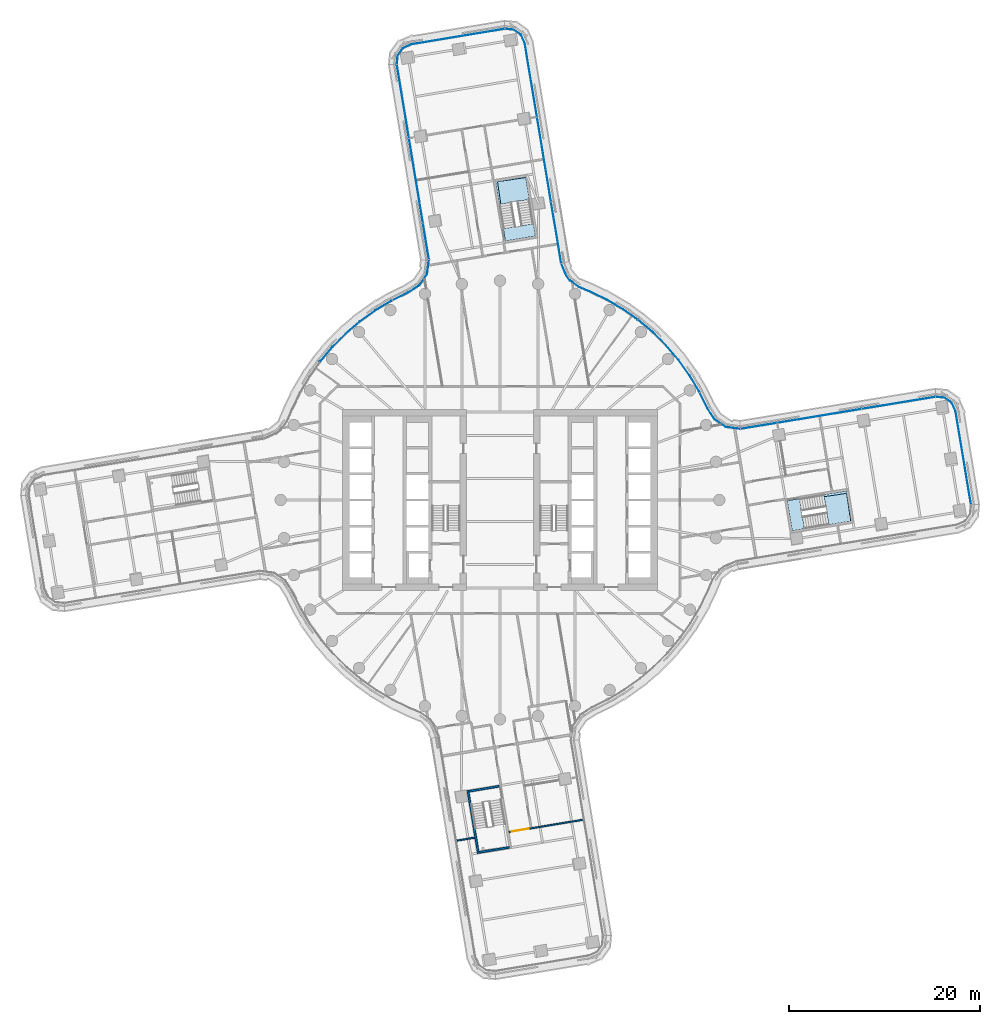
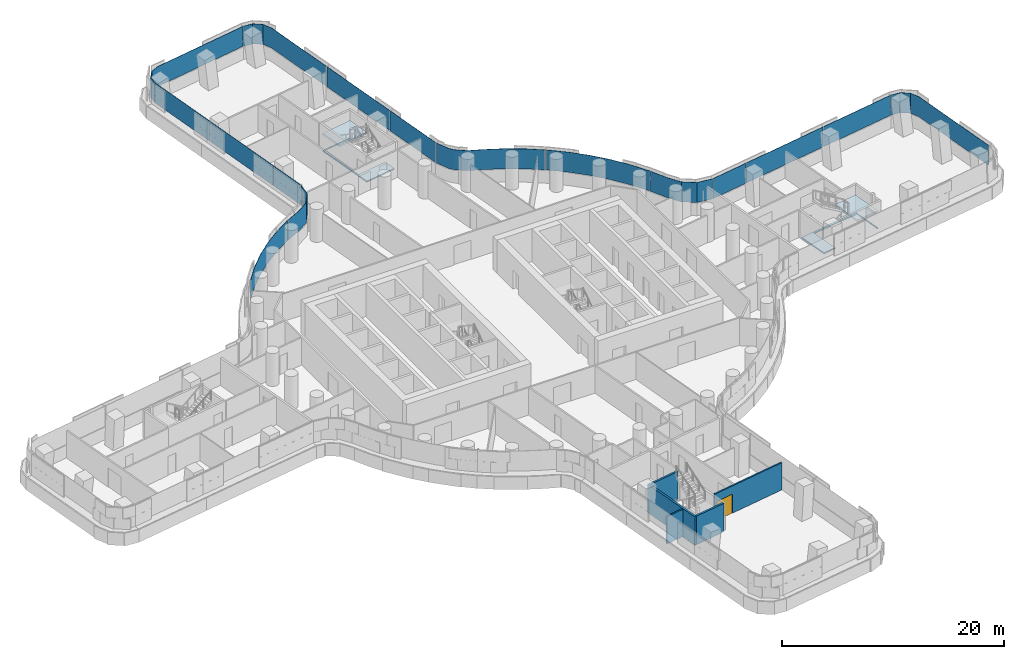
# One storey, part 19 of 32: 16 plates, 5 walls, 4 slabs, 1 door, 1 opening, 9 elements without a shape of their own.
"""IFC4 building model written with IfcOpenShell, lengths in metres."""

from ifc_helpers import new_model, si_unit, direction, frame, frame_2d, origin, place, context, subcontext, project, spatial, polyline, rectangle, outline, extrude, material, layer, layer_set, type_object, element, fill, aggregate, save


model = new_model("IFC4")

# Units and contexts
model_context = context("Model", 3, precision=1e-05, world=origin(), true_north=direction((0.0, 1.0)))
body_context = subcontext(model_context, "Body", "Model", "MODEL_VIEW")
ifc_project = project(units=[si_unit("LENGTHUNIT", "METRE"), si_unit("AREAUNIT", "SQUARE_METRE"), si_unit("VOLUMEUNIT", "CUBIC_METRE"), si_unit("PLANEANGLEUNIT", "RADIAN"), si_unit("MASSUNIT", "GRAM", prefix="KILO")], contexts=[model_context])

# Site, building, storey
site_placement = place(None, origin())
site = spatial("IfcSite", under=ifc_project, at=site_placement, CompositionType="ELEMENT")
building_placement = place(site_placement, origin())
building = spatial("IfcBuilding", under=site, at=building_placement, Name="Tamarind Cross Interchange Tower", CompositionType="ELEMENT")
storey_placement = place(building_placement, frame((0.0, 0.0, 67.75)))
storey = spatial("IfcBuildingStorey", under=building, at=storey_placement, Name="L15", CompositionType="ELEMENT", Elevation=67.75)

# Slabs
ifc_material_1 = material(Name="Concrete C35", Category="concrete")
ifc_layer_1 = layer(ifc_material_1, 0.139892578125)
ifc_layer_set_1 = layer_set([ifc_layer_1], Name="Concrete C35")
slab_type_1 = type_object("IfcSlabType", Name="Composite slab 140 Concrete C35", PredefinedType="FLOOR", material=ifc_layer_set_1)
slab_1_placement = place(storey_placement, frame((0.0, 0.0, -0.139892578125)))
element("IfcSlab", 1, at=slab_1_placement, inside=storey, type_object=slab_type_1, Name="Floor slab L15", PredefinedType="FLOOR", context=body_context, shape_type="SweptSolid", body=[
    extrude(outline(polyline([(-0.257568359375, 33.383544921875), (2.705322265625, 33.81884765625), (2.69189453125, 33.899658203125), (-0.465087890625, 33.376953125), (0.564208984375, 27.16162109375), (3.72119140625, 27.684326171875), (3.5068359375, 28.978759765625), (0.463623046875, 28.474853515625), (-0.257568359375, 33.383544921875)])), origin(), (0.0, 0.0, 1.0), 0.139892578125),
])
slab_2_placement = place(storey_placement, frame((0.0, 0.0, -0.139892578125)))
element("IfcSlab", 2, at=slab_2_placement, inside=storey, type_object=slab_type_1, Name="Floor slab L15", PredefinedType="FLOOR", context=body_context, shape_type="SweptSolid", body=[
    extrude(outline(polyline([(36.3515625, 0.693603515625), (36.779052734375, -2.215087890625), (36.859375, -2.201904296875), (36.336669921875, 0.955078125), (30.12109375, -0.07421875), (30.64404296875, -3.231201171875), (31.9384765625, -3.016845703125), (31.443359375, -0.027587890625), (36.3515625, 0.693603515625)])), origin(), (0.0, 0.0, 1.0), 0.139892578125),
])

# Stair, slab
ifc_material_2 = material(Name="Exit stair")
stair_type = type_object("IfcStairType", Name="Exit stair", PredefinedType="HALF_TURN_STAIR", material=ifc_material_2)
stair_1_placement = place(storey_placement, origin())
stair_1 = element("IfcStair", 3, at=stair_1_placement, inside=storey, type_object=stair_type, Name="L15 exit stair ST3", PredefinedType="HALF_TURN_STAIR")
ifc_material_3 = material(Name="Concrete C40", Category="concrete")
ifc_layer_2 = layer(ifc_material_3, 0.199951171875)
ifc_layer_set_2 = layer_set([ifc_layer_2], Name="Concrete C40")
slab_type_2 = type_object("IfcSlabType", Name="Stair landing", PredefinedType="LANDING", material=ifc_layer_set_2)
slab_3_placement = place(storey_placement, frame((0.0, 0.0, 1.675048828125)))
slab_3 = element("IfcSlab", 4, at=slab_3_placement, type_object=slab_type_2, Name="ST3 landing 1", PredefinedType="LANDING", context=body_context, shape_type="SweptSolid", body=[
    extrude(outline(polyline([(34.479736328125, -2.595947265625), (36.859375, -2.201904296875), (36.336669921875, 0.955078125), (33.95703125, 0.56103515625), (34.479736328125, -2.595947265625)])), origin(), (0.0, 0.0, 1.0), 0.199951171875),
])
aggregate(stair_1, [slab_3])

stair_2_placement = place(storey_placement, origin())
stair_2 = element("IfcStair", 5, at=stair_2_placement, inside=storey, type_object=stair_type, Name="L15 exit stair ST4", PredefinedType="HALF_TURN_STAIR")
slab_4_placement = place(storey_placement, frame((0.0, 0.0, 1.675048828125)))
slab_4 = element("IfcSlab", 6, at=slab_4_placement, type_object=slab_type_2, Name="ST4 landing 1", PredefinedType="LANDING", context=body_context, shape_type="SweptSolid", body=[
    extrude(outline(polyline([(3.0859375, 31.52001953125), (2.69189453125, 33.899658203125), (-0.465087890625, 33.376953125), (-0.071044921875, 30.997314453125), (3.0859375, 31.52001953125)])), origin(), (0.0, 0.0, 1.0), 0.199951171875),
])
aggregate(stair_2, [slab_4])

# Curtain wall, plate
ifc_material_4 = material(Name="Aluminium 6063-T6", Category="aluminium")
ifc_layer_3 = layer(ifc_material_4, 0.159912109375)
ifc_layer_set_3 = layer_set([ifc_layer_3], Name="Aluminium 6063-T6")
curtain_wall_type = type_object("IfcCurtainWallType", Name="Office curtain wall, 9.0 m bays", PredefinedType="NOTDEFINED", material=ifc_layer_set_3)
curtain_wall_1_placement = place(storey_placement, origin())
curtain_wall_1 = element("IfcCurtainWall", 7, at=curtain_wall_1_placement, inside=storey, type_object=curtain_wall_type, Name="CWS-L15-00", PredefinedType="NOTDEFINED")
ifc_material_5 = material(Name="Laminated low-e glass 8+1.52+8", Category="glass")
ifc_layer_4 = layer(ifc_material_5, 0.028076171875)
ifc_layer_set_4 = layer_set([ifc_layer_4], Name="Laminated low-e glass 8+1.52+8")
plate_type = type_object("IfcPlateType", Name="Vision panel CW1", PredefinedType="CURTAIN_PANEL", material=ifc_layer_set_4)
plate_1_placement = place(storey_placement, frame((0.0, 0.0, 1.39990234375)))
plate_1 = element("IfcPlate", 8, at=plate_1_placement, type_object=plate_type, Name="CWP-L15-00-00", PredefinedType="CURTAIN_PANEL", context=body_context, shape_type="SweptSolid", body=[
    extrude(outline(polyline([(0.474609375, 49.391845703125), (-9.3076171875, 47.77197265625), (-10.17236328125, 47.379638671875), (-10.708251953125, 46.630859375), (-10.798095703125, 45.713623046875), (-10.826171875, 45.71630859375), (-10.7353515625, 46.64111328125), (-10.19091796875, 47.40185546875), (-9.315673828125, 47.799072265625), (0.47021484375, 49.419677734375), (0.474609375, 49.391845703125)])), origin(), (0.0, 0.0, 1.0), 2.210205078125),
])
aggregate(curtain_wall_1, [plate_1])

# Curtain wall, plates
curtain_wall_2_placement = place(storey_placement, origin())
curtain_wall_2 = element("IfcCurtainWall", 9, at=curtain_wall_2_placement, inside=storey, type_object=curtain_wall_type, Name="CWS-L15-01", PredefinedType="NOTDEFINED")
plate_2_placement = place(storey_placement, frame((0.0, 0.0, 1.39990234375)))
plate_2 = element("IfcPlate", 10, at=plate_2_placement, type_object=plate_type, Name="CWP-L15-01-00", PredefinedType="CURTAIN_PANEL", context=body_context, shape_type="SweptSolid", body=[
    extrude(outline(polyline([(-10.79638671875, 45.65771484375), (-9.53125, 37.95947265625), (-9.558837890625, 37.954833984375), (-10.823974609375, 45.6533203125), (-10.79638671875, 45.65771484375)])), origin(), (0.0, 0.0, 1.0), 2.210205078125),
])
plate_3_placement = place(storey_placement, frame((0.0, 0.0, 1.39990234375)))
plate_3 = element("IfcPlate", 11, at=plate_3_placement, type_object=plate_type, Name="CWP-L15-01-01", PredefinedType="CURTAIN_PANEL", context=body_context, shape_type="SweptSolid", body=[
    extrude(outline(polyline([(-9.521484375, 37.900146484375), (-8.071533203125, 29.0771484375), (-8.09912109375, 29.072509765625), (-9.549072265625, 37.895751953125), (-9.521484375, 37.900146484375)])), origin(), (0.0, 0.0, 1.0), 2.210205078125),
])
plate_4_placement = place(storey_placement, frame((0.0, 0.0, 1.39990234375)))
plate_4 = element("IfcPlate", 12, at=plate_4_placement, type_object=plate_type, Name="CWP-L15-01-02", PredefinedType="CURTAIN_PANEL", context=body_context, shape_type="SweptSolid", body=[
    extrude(outline(polyline([(-8.061767578125, 29.017822265625), (-7.440185546875, 25.234619140625), (-7.4677734375, 25.230224609375), (-8.08935546875, 29.01318359375), (-8.061767578125, 29.017822265625)])), origin(), (0.0, 0.0, 1.0), 2.210205078125),
])
aggregate(curtain_wall_2, [plate_2, plate_3, plate_4])

curtain_wall_3_placement = place(storey_placement, origin())
curtain_wall_3 = element("IfcCurtainWall", 13, at=curtain_wall_3_placement, inside=storey, type_object=curtain_wall_type, Name="CWS-L15-02", PredefinedType="NOTDEFINED")
plate_5_placement = place(storey_placement, frame((0.0, 0.0, 1.39990234375)))
plate_5 = element("IfcPlate", 14, at=plate_5_placement, type_object=plate_type, Name="CWP-L15-02-00", PredefinedType="CURTAIN_PANEL", context=body_context, shape_type="SweptSolid", body=[
    extrude(outline(polyline([(-7.439208984375, 25.171142578125), (-7.636474609375, 23.6884765625), (-8.433349609375, 22.5048828125), (-9.62841796875, 21.746337890625), (-11.251953125, 20.944091796875), (-11.264404296875, 20.96923828125), (-9.642333984375, 21.770751953125), (-8.453125, 22.525390625), (-7.663330078125, 23.69873046875), (-7.466796875, 25.175048828125), (-7.439208984375, 25.171142578125)])), origin(), (0.0, 0.0, 1.0), 2.210205078125),
])
plate_6_placement = place(storey_placement, frame((0.0, 0.0, 1.39990234375)))
plate_6 = element("IfcPlate", 15, at=plate_6_placement, type_object=plate_type, Name="CWP-L15-02-01", PredefinedType="CURTAIN_PANEL", context=body_context, shape_type="SweptSolid", body=[
    extrude(outline(polyline([(-11.3056640625, 20.91748046875), (-11.40869140625, 20.866455078125), (-13.093017578125, 19.85302734375), (-14.687744140625, 18.7041015625), (-16.18212890625, 17.42724609375), (-17.56591796875, 16.031494140625), (-18.829833984375, 14.526123046875), (-18.876708984375, 14.4599609375), (-18.899658203125, 14.47607421875), (-18.85205078125, 14.543212890625), (-17.586669921875, 16.05029296875), (-16.201171875, 17.44775390625), (-14.705078125, 18.72607421875), (-13.1083984375, 19.87646484375), (-11.422119140625, 20.89111328125), (-11.318115234375, 20.942626953125), (-11.3056640625, 20.91748046875)])), origin(), (0.0, 0.0, 1.0), 2.210205078125),
])
aggregate(curtain_wall_3, [plate_5, plate_6])

# Curtain wall, plate
curtain_wall_4_placement = place(storey_placement, origin())
curtain_wall_4 = element("IfcCurtainWall", 16, at=curtain_wall_4_placement, inside=storey, type_object=curtain_wall_type, Name="CWS-L15-12", PredefinedType="NOTDEFINED")
plate_7_placement = place(storey_placement, frame((0.0, 0.0, 1.39990234375)))
plate_7 = element("IfcPlate", 17, at=plate_7_placement, type_object=plate_type, Name="CWP-L15-12-00", PredefinedType="CURTAIN_PANEL", context=body_context, shape_type="SweptSolid", body=[
    extrude(outline(polyline([(49.391845703125, -0.474609375), (47.77197265625, 9.3076171875), (47.379638671875, 10.17236328125), (46.630859375, 10.708251953125), (45.713623046875, 10.798095703125), (45.71630859375, 10.826171875), (46.64111328125, 10.7353515625), (47.40185546875, 10.19091796875), (47.799072265625, 9.315673828125), (49.419677734375, -0.47021484375), (49.391845703125, -0.474609375)])), origin(), (0.0, 0.0, 1.0), 2.210205078125),
])
aggregate(curtain_wall_4, [plate_7])

# Curtain wall, plates
curtain_wall_5_placement = place(storey_placement, origin())
curtain_wall_5 = element("IfcCurtainWall", 18, at=curtain_wall_5_placement, inside=storey, type_object=curtain_wall_type, Name="CWS-L15-13", PredefinedType="NOTDEFINED")
plate_8_placement = place(storey_placement, frame((0.0, 0.0, 1.39990234375)))
plate_8 = element("IfcPlate", 19, at=plate_8_placement, type_object=plate_type, Name="CWP-L15-13-00", PredefinedType="CURTAIN_PANEL", context=body_context, shape_type="SweptSolid", body=[
    extrude(outline(polyline([(45.65771484375, 10.79638671875), (37.95947265625, 9.53125), (37.954833984375, 9.558837890625), (45.6533203125, 10.823974609375), (45.65771484375, 10.79638671875)])), origin(), (0.0, 0.0, 1.0), 2.210205078125),
])
plate_9_placement = place(storey_placement, frame((0.0, 0.0, 1.39990234375)))
plate_9 = element("IfcPlate", 20, at=plate_9_placement, type_object=plate_type, Name="CWP-L15-13-01", PredefinedType="CURTAIN_PANEL", context=body_context, shape_type="SweptSolid", body=[
    extrude(outline(polyline([(37.900146484375, 9.521484375), (29.0771484375, 8.071533203125), (29.072509765625, 8.09912109375), (37.895751953125, 9.549072265625), (37.900146484375, 9.521484375)])), origin(), (0.0, 0.0, 1.0), 2.210205078125),
])
plate_10_placement = place(storey_placement, frame((0.0, 0.0, 1.39990234375)))
plate_10 = element("IfcPlate", 21, at=plate_10_placement, type_object=plate_type, Name="CWP-L15-13-02", PredefinedType="CURTAIN_PANEL", context=body_context, shape_type="SweptSolid", body=[
    extrude(outline(polyline([(29.017822265625, 8.061767578125), (25.234619140625, 7.440185546875), (25.230224609375, 7.4677734375), (29.01318359375, 8.08935546875), (29.017822265625, 8.061767578125)])), origin(), (0.0, 0.0, 1.0), 2.210205078125),
])
aggregate(curtain_wall_5, [plate_8, plate_9, plate_10])

curtain_wall_6_placement = place(storey_placement, origin())
curtain_wall_6 = element("IfcCurtainWall", 22, at=curtain_wall_6_placement, inside=storey, type_object=curtain_wall_type, Name="CWS-L15-14", PredefinedType="NOTDEFINED")
plate_11_placement = place(storey_placement, frame((0.0, 0.0, 1.39990234375)))
plate_11 = element("IfcPlate", 23, at=plate_11_placement, type_object=plate_type, Name="CWP-L15-14-00", PredefinedType="CURTAIN_PANEL", context=body_context, shape_type="SweptSolid", body=[
    extrude(outline(polyline([(25.171142578125, 7.439208984375), (23.6884765625, 7.636474609375), (22.5048828125, 8.433349609375), (21.746337890625, 9.62841796875), (20.944091796875, 11.251953125), (20.96923828125, 11.264404296875), (21.770751953125, 9.642333984375), (22.525390625, 8.453125), (23.69873046875, 7.663330078125), (25.175048828125, 7.466796875), (25.171142578125, 7.439208984375)])), origin(), (0.0, 0.0, 1.0), 2.210205078125),
])
plate_12_placement = place(storey_placement, frame((0.0, 0.0, 1.39990234375)))
plate_12 = element("IfcPlate", 24, at=plate_12_placement, type_object=plate_type, Name="CWP-L15-14-01", PredefinedType="CURTAIN_PANEL", context=body_context, shape_type="SweptSolid", body=[
    extrude(outline(polyline([(20.91748046875, 11.3056640625), (20.866455078125, 11.40869140625), (19.85302734375, 13.093017578125), (18.7041015625, 14.687744140625), (17.42724609375, 16.18212890625), (16.031494140625, 17.56591796875), (14.526123046875, 18.829833984375), (14.4599609375, 18.876708984375), (14.47607421875, 18.899658203125), (14.543212890625, 18.85205078125), (16.05029296875, 17.586669921875), (17.44775390625, 16.201171875), (18.72607421875, 14.705078125), (19.87646484375, 13.1083984375), (20.89111328125, 11.422119140625), (20.942626953125, 11.318115234375), (20.91748046875, 11.3056640625)])), origin(), (0.0, 0.0, 1.0), 2.210205078125),
])
plate_13_placement = place(storey_placement, frame((0.0, 0.0, 1.39990234375)))
plate_13 = element("IfcPlate", 25, at=plate_13_placement, type_object=plate_type, Name="CWP-L15-14-02", PredefinedType="CURTAIN_PANEL", context=body_context, shape_type="SweptSolid", body=[
    extrude(outline(polyline([(14.410888671875, 18.911376953125), (12.921630859375, 19.965087890625), (11.228759765625, 20.9638671875), (9.456298828125, 21.821044921875), (8.302978515625, 22.30712890625), (7.33544921875, 23.013671875), (6.98193359375, 23.449462890625), (6.428466796875, 24.76171875), (6.454345703125, 24.772705078125), (7.00634765625, 23.4638671875), (7.35498046875, 23.0341796875), (8.316650390625, 22.331787109375), (9.4677734375, 21.8466796875), (11.241943359375, 20.98876953125), (12.936767578125, 19.988525390625), (14.427001953125, 18.934326171875), (14.410888671875, 18.911376953125)])), origin(), (0.0, 0.0, 1.0), 2.210205078125),
])
aggregate(curtain_wall_6, [plate_11, plate_12, plate_13])

curtain_wall_7_placement = place(storey_placement, origin())
curtain_wall_7 = element("IfcCurtainWall", 26, at=curtain_wall_7_placement, inside=storey, type_object=curtain_wall_type, Name="CWS-L15-15", PredefinedType="NOTDEFINED")
plate_14_placement = place(storey_placement, frame((0.0, 0.0, 1.39990234375)))
plate_14 = element("IfcPlate", 27, at=plate_14_placement, type_object=plate_type, Name="CWP-L15-15-00", PredefinedType="CURTAIN_PANEL", context=body_context, shape_type="SweptSolid", body=[
    extrude(outline(polyline([(6.4111328125, 24.822021484375), (5.34765625, 31.243408203125), (5.375244140625, 31.248046875), (6.438720703125, 24.82666015625), (6.4111328125, 24.822021484375)])), origin(), (0.0, 0.0, 1.0), 2.210205078125),
])
plate_15_placement = place(storey_placement, frame((0.0, 0.0, 1.39990234375)))
plate_15 = element("IfcPlate", 28, at=plate_15_placement, type_object=plate_type, Name="CWP-L15-15-01", PredefinedType="CURTAIN_PANEL", context=body_context, shape_type="SweptSolid", body=[
    extrude(outline(polyline([(5.337890625, 31.302734375), (3.87744140625, 40.12158203125), (3.905029296875, 40.126220703125), (5.365478515625, 31.307373046875), (5.337890625, 31.302734375)])), origin(), (0.0, 0.0, 1.0), 2.210205078125),
])
plate_16_placement = place(storey_placement, frame((0.0, 0.0, 1.39990234375)))
plate_16 = element("IfcPlate", 29, at=plate_16_placement, type_object=plate_type, Name="CWP-L15-15-02", PredefinedType="CURTAIN_PANEL", context=body_context, shape_type="SweptSolid", body=[
    extrude(outline(polyline([(3.86767578125, 40.1806640625), (2.588623046875, 47.903076171875), (2.1962890625, 48.76806640625), (1.44775390625, 49.303955078125), (0.530517578125, 49.393798828125), (0.533203125, 49.421630859375), (1.4580078125, 49.3310546875), (2.21875, 48.786376953125), (2.61572265625, 47.911376953125), (3.895263671875, 40.185302734375), (3.86767578125, 40.1806640625)])), origin(), (0.0, 0.0, 1.0), 2.210205078125),
])
aggregate(curtain_wall_7, [plate_14, plate_15, plate_16])

# Wall
ifc_material_6 = material(Name="Gypsum board partition on steel studs", Category="steel")
ifc_layer_5 = layer(ifc_material_6, 0.14990234375)
ifc_layer_set_5 = layer_set([ifc_layer_5], Name="Gypsum board partition on steel studs")
wall_type_1 = type_object("IfcWallType", Name="Partition 150 mm EI 120", PredefinedType="PARTITIONING", material=ifc_layer_set_5)
wall_1_placement = place(storey_placement, frame((-4.517578125, -35.722900390625, 0.0), z_axis=(0.0, 0.0, 1.0), x_axis=(0.986563770386, 0.163376641422, 0.0)))
element("IfcWall", 30, at=wall_1_placement, inside=storey, type_object=wall_type_1, Name="Partition L15-055", PredefinedType="PARTITIONING", context=body_context, shape_type="SweptSolid", body=[
    extrude(rectangle(XDim=1.85888671875, YDim=0.14990234375, at=frame_2d((0.929443359375, 0.0))), origin(), (0.0, 0.0, 1.0), 3.010009765625),
])

# Wall, opening, door
wall_2_placement = place(storey_placement, frame((0.946533203125, -34.818115234375, 0.0), z_axis=(0.0, 0.0, 1.0), x_axis=(0.986577645914, 0.163292830778, 0.0)))
wall_2 = element("IfcWall", 31, at=wall_2_placement, inside=storey, type_object=wall_type_1, Name="Partition L15-056", PredefinedType="PARTITIONING", context=body_context, shape_type="SweptSolid", body=[
    extrude(rectangle(XDim=7.874755859375, YDim=0.14990234375, at=frame_2d((3.9375, 0.0))), origin(), (0.0, 0.0, 1.0), 3.010009765625),
])
opening_placement = place(wall_2_placement, frame((0.300048828125, 0.0, 0.0)))
opening = element("IfcOpeningElement", 32, at=opening_placement, cuts=wall_2, Name="Opening D34", PredefinedType="OPENING", context=body_context, shape_type="SweptSolid", body=[
    extrude(rectangle(XDim=1.800048828125, YDim=2.10009765625, at=frame_2d((0.89990234375, 1.050048828125))), frame((0.0, 0.0849609375, 0.0), z_axis=(0.0, -1.0, 0.0), x_axis=(1.0, 0.0, 0.0)), (0.0, 0.0, 1.0), 0.169921875),
])
ifc_material_7 = material(Name="Fire-resisting door set")
door_type = type_object("IfcDoorType", Name="Interior door 1800 x 2100 FD60S", OperationType="DOUBLE_DOOR_SINGLE_SWING", PredefinedType="DOOR", material=ifc_material_7)
door_placement = place(opening_placement, frame((1.800048828125, 0.0, 0.0), z_axis=(0.0, 0.0, 1.0), x_axis=(-1.0, 0.0, 0.0)))
door = element("IfcDoor", 33, at=door_placement, inside=storey, type_object=door_type, Name="Door D34", OperationType="DOUBLE_DOOR_SINGLE_SWING", OverallHeight=2.10009765625, OverallWidth=1.800048828125, PredefinedType="DOOR", context=body_context, shape_type="SweptSolid", body=[
    extrude(rectangle(XDim=1.800048828125, YDim=2.10009765625, at=frame_2d((0.89990234375, 1.050048828125))), frame((0.0, 0.02490234375, 0.0), z_axis=(0.0, -1.0, 0.0), x_axis=(1.0, 0.0, 0.0)), (0.0, 0.0, 1.0), 0.050048828125),
])
fill(opening, door)

# Walls
ifc_layer_6 = layer(ifc_material_3, 0.199951171875)
ifc_layer_set_6 = layer_set([ifc_layer_6], Name="Concrete C40")
wall_type_2 = type_object("IfcWallType", Name="Stair shaft wall 200 mm Concrete C40", PredefinedType="SHEAR", material=ifc_layer_set_6)
wall_3_placement = place(storey_placement, frame((-3.362548828125, -30.463134765625, -0.139892578125), z_axis=(0.0, 0.0, 1.0), x_axis=(0.1633943559, -0.986560836674, 0.0)))
element("IfcWall", 34, at=wall_3_placement, inside=storey, type_object=wall_type_2, Name="Core wall CWL-L15-ST6-C", PredefinedType="SHEAR", context=body_context, shape_type="SweptSolid", body=[
    extrude(rectangle(XDim=6.699951171875, YDim=0.199951171875, at=frame_2d((3.35009765625, 0.0))), origin(), (0.0, 0.0, 1.0), 3.14990234375),
])
wall_4_placement = place(storey_placement, frame((-3.24755859375, -30.54541015625, -0.139892578125), z_axis=(0.0, 0.0, 1.0), x_axis=(0.98656863518, 0.163347262232, 0.0)))
element("IfcWall", 35, at=wall_4_placement, inside=storey, type_object=wall_type_2, Name="Core wall CWL-L15-ST6-CE", PredefinedType="SHEAR", context=body_context, shape_type="SweptSolid", body=[
    extrude(rectangle(XDim=3.199951171875, YDim=0.199951171875, at=frame_2d((1.60009765625, 0.0))), origin(), (0.0, 0.0, 1.0), 3.14990234375),
])
wall_5_placement = place(storey_placement, frame((0.0, 0.0, -0.139892578125)))
element("IfcWall", 36, at=wall_5_placement, inside=storey, type_object=wall_type_2, Name="Core wall CWL-L15-ST6-CF", PredefinedType="SHEAR", context=body_context, shape_type="SweptSolid", body=[
    extrude(outline(polyline([(-2.201904296875, -36.859375), (-2.169189453125, -37.056640625), (0.98779296875, -36.533935546875), (0.955078125, -36.336669921875), (-2.201904296875, -36.859375)])), origin(), (0.0, 0.0, 1.0), 3.14990234375),
])

save(model, "model.ifc")
